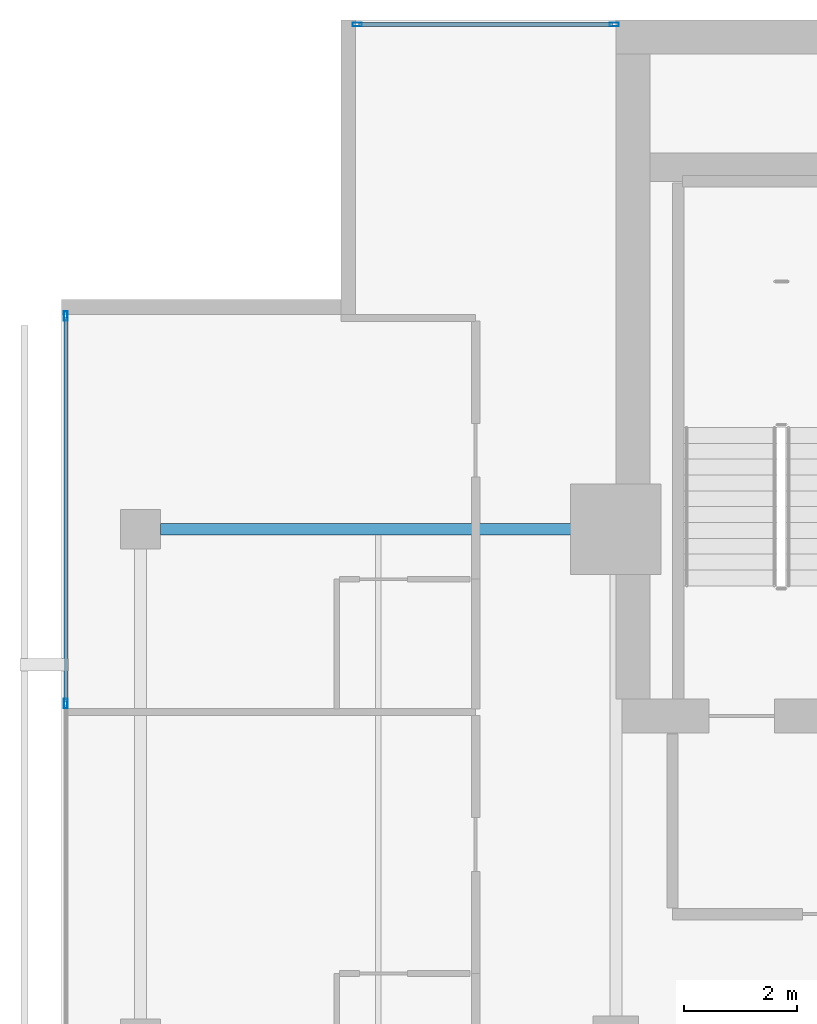
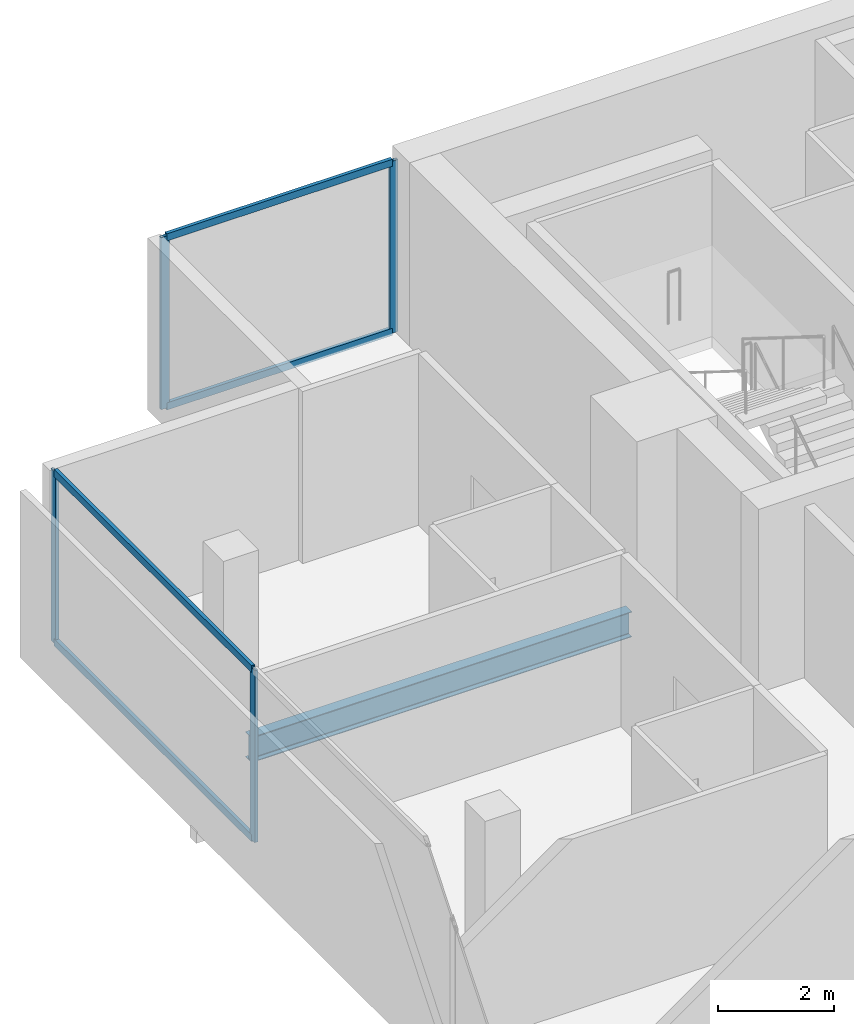
# One storey, part 16 of 25: 8 members, 1 beam, 2 elements without a shape of their own.
"""IFC4 building model written with IfcOpenShell, lengths in metres."""

from ifc_helpers import new_model, si_unit, direction, frame, origin, origin_2d, place, context, subcontext, project, spatial, hollow_rectangle, i_section, extrude, material, layer, layer_set, material_profile, profile_set, type_object, element, aggregate, save


model = new_model("IFC4")

# Units and contexts
model_context = context("Model", 3, precision=1e-05, world=origin(), true_north=direction((0.0, 1.0)))
body_context = subcontext(model_context, "Body", "Model", "MODEL_VIEW")
ifc_project = project(units=[si_unit("LENGTHUNIT", "METRE"), si_unit("AREAUNIT", "SQUARE_METRE"), si_unit("VOLUMEUNIT", "CUBIC_METRE"), si_unit("PLANEANGLEUNIT", "RADIAN"), si_unit("MASSUNIT", "GRAM", prefix="KILO")], contexts=[model_context])

# Site, building, storey
site_placement = place(None, origin())
site = spatial("IfcSite", under=ifc_project, at=site_placement, CompositionType="ELEMENT")
building_placement = place(site_placement, origin())
building = spatial("IfcBuilding", under=site, at=building_placement, Name="Maruvema Waterfront Hotel and Observation Tower", CompositionType="ELEMENT")
storey_placement = place(building_placement, frame((0.0, 0.0, 270.199951171875)))
storey = spatial("IfcBuildingStorey", under=building, at=storey_placement, Name="L66", CompositionType="ELEMENT", Elevation=270.199951171875)

# Curtain wall, members
ifc_material_1 = material(Name="Anodised bronze aluminium and solar-control low-E IGU", Category="aluminium")
ifc_layer = layer(ifc_material_1, 0.159912109375, Name="Zone 3 Champagne Inner Thermal Curtain Wall System CW-04")
ifc_layer_set = layer_set([ifc_layer], Name="Anodised bronze aluminium and solar-control low-E IGU")
curtain_wall_type = type_object("IfcCurtainWallType", Name="Zone 3 Champagne Inner Thermal Curtain Wall System CW-04", PredefinedType="USERDEFINED", material=ifc_layer_set)
curtain_wall_1_placement = place(storey_placement, origin())
curtain_wall_1 = element("IfcCurtainWall", 1, at=curtain_wall_1_placement, inside=storey, type_object=curtain_wall_type, Name="L66 Curtain Wall CW-L66-W", ObjectType="UNITISED CURTAIN WALL", PredefinedType="USERDEFINED")
ifc_material_2 = material(Name="Anodised architectural bronze aluminium", Category="aluminium")
ifc_material_profile_1 = material_profile(ifc_material_2, hollow_rectangle(XDim=0.070068359375, YDim=0.14990234375, WallThickness=0.00390625, at=origin_2d()), Name="ALU-T70x150")
ifc_profile_set_1 = profile_set([ifc_material_profile_1], Name="Anodised architectural bronze aluminium")
member_type_1 = type_object("IfcMemberType", Name="Curtain Wall Horizontal Transom ALU-T70x150", PredefinedType="USERDEFINED", material=ifc_profile_set_1)
member_1_placement = place(storey_placement, frame((15.47998046875, 48.739990234375, 0.030029296875), z_axis=(0.0, -1.0, 0.0), x_axis=(1.0, 0.0, 0.0)))
member_1 = element("IfcMember", 2, at=member_1_placement, type_object=member_type_1, Name="CW-04 transom 1.1", ObjectType="TRANSOM", PredefinedType="USERDEFINED", context=body_context, shape_type="SweptSolid", body=[
    extrude(hollow_rectangle(XDim=0.070068359375, YDim=0.14990234375, WallThickness=0.00390625, at=origin_2d()), origin(), (0.0, 0.0, 1.0), 6.7900390625),
])
member_2_placement = place(storey_placement, frame((15.47998046875, 48.739990234375, 3.580078125), z_axis=(0.0, -1.0, 0.0), x_axis=(1.0, 0.0, 0.0)))
member_2 = element("IfcMember", 3, at=member_2_placement, type_object=member_type_1, Name="CW-04 transom 1.2", ObjectType="TRANSOM", PredefinedType="USERDEFINED", context=body_context, shape_type="SweptSolid", body=[
    extrude(hollow_rectangle(XDim=0.070068359375, YDim=0.14990234375, WallThickness=0.00390625, at=origin_2d()), origin(), (0.0, 0.0, 1.0), 6.7900390625),
])

curtain_wall_2_placement = place(storey_placement, origin())
curtain_wall_2 = element("IfcCurtainWall", 4, at=curtain_wall_2_placement, inside=storey, type_object=curtain_wall_type, Name="L66 Curtain Wall CW-L66-NW", ObjectType="UNITISED CURTAIN WALL", PredefinedType="USERDEFINED")
member_3_placement = place(storey_placement, frame((25.139892578125, 53.919921875, 0.030029296875), z_axis=(-1.0, 0.0, 0.0), x_axis=(0.0, -1.0, 0.0)))
member_3 = element("IfcMember", 5, at=member_3_placement, type_object=member_type_1, Name="CW-04 transom 1.1", ObjectType="TRANSOM", PredefinedType="USERDEFINED", context=body_context, shape_type="SweptSolid", body=[
    extrude(hollow_rectangle(XDim=0.070068359375, YDim=0.14990234375, WallThickness=0.00390625, at=origin_2d()), origin(), (0.0, 0.0, 1.0), 4.47998046875),
])
member_4_placement = place(storey_placement, frame((25.139892578125, 53.919921875, 3.580078125), z_axis=(-1.0, 0.0, 0.0), x_axis=(0.0, -1.0, 0.0)))
member_4 = element("IfcMember", 6, at=member_4_placement, type_object=member_type_1, Name="CW-04 transom 1.2", ObjectType="TRANSOM", PredefinedType="USERDEFINED", context=body_context, shape_type="SweptSolid", body=[
    extrude(hollow_rectangle(XDim=0.070068359375, YDim=0.14990234375, WallThickness=0.00390625, at=origin_2d()), origin(), (0.0, 0.0, 1.0), 4.47998046875),
])

# Member
ifc_material_3 = material(Name="Anodised architectural bronze aluminium", Category="aluminium")
ifc_material_profile_2 = material_profile(ifc_material_3, hollow_rectangle(XDim=0.06494140625, YDim=0.1650390625, WallThickness=0.00390625, at=origin_2d()), Name="ALU-M65x165")
ifc_profile_set_2 = profile_set([ifc_material_profile_2], Name="Anodised architectural bronze aluminium")
member_type_2 = type_object("IfcMemberType", Name="Curtain Wall Primary Mullion ALU-M65x165", PredefinedType="MULLION", material=ifc_profile_set_2)
member_5_placement = place(storey_placement, frame((15.47998046875, 48.77001953125, 0.0), z_axis=(0.0, 0.0, 1.0), x_axis=(1.0, 0.0, 0.0)))
member_5 = element("IfcMember", 7, at=member_5_placement, type_object=member_type_2, Name="CW-04 mullion 1", PredefinedType="MULLION", context=body_context, shape_type="SweptSolid", body=[
    extrude(hollow_rectangle(XDim=0.06494140625, YDim=0.1650390625, WallThickness=0.00390625, at=origin_2d()), origin(), (0.0, 0.0, 1.0), 3.610107421875),
])

member_6_placement = place(storey_placement, frame((15.47998046875, 41.919921875, 0.0), z_axis=(0.0, 0.0, 1.0), x_axis=(1.0, 0.0, 0.0)))
member_6 = element("IfcMember", 8, at=member_6_placement, type_object=member_type_2, Name="CW-04 mullion 2", PredefinedType="MULLION", context=body_context, shape_type="SweptSolid", body=[
    extrude(hollow_rectangle(XDim=0.06494140625, YDim=0.1650390625, WallThickness=0.00390625, at=origin_2d()), origin(), (0.0, 0.0, 1.0), 3.610107421875),
])

aggregate(curtain_wall_1, [member_5, member_6, member_1, member_2])

member_7_placement = place(storey_placement, frame((25.169921875, 53.919921875, 0.0), z_axis=(0.0, 0.0, 1.0), x_axis=(0.0, -1.0, 0.0)))
member_7 = element("IfcMember", 9, at=member_7_placement, type_object=member_type_2, Name="CW-04 mullion 1", PredefinedType="MULLION", context=body_context, shape_type="SweptSolid", body=[
    extrude(hollow_rectangle(XDim=0.06494140625, YDim=0.1650390625, WallThickness=0.00390625, at=origin_2d()), origin(), (0.0, 0.0, 1.0), 3.610107421875),
])

member_8_placement = place(storey_placement, frame((20.6298828125, 53.919921875, 0.0), z_axis=(0.0, 0.0, 1.0), x_axis=(0.0, -1.0, 0.0)))
member_8 = element("IfcMember", 10, at=member_8_placement, type_object=member_type_2, Name="CW-04 mullion 2", PredefinedType="MULLION", context=body_context, shape_type="SweptSolid", body=[
    extrude(hollow_rectangle(XDim=0.06494140625, YDim=0.1650390625, WallThickness=0.00390625, at=origin_2d()), origin(), (0.0, 0.0, 1.0), 3.610107421875),
])

aggregate(curtain_wall_2, [member_7, member_8, member_3, member_4])

# Beam
ifc_material_4 = material(Name="Steel ASTM A572 Grade 50", Category="steel")
ifc_material_profile_3 = material_profile(ifc_material_4, i_section(OverallWidth=0.208984375, OverallDepth=0.532958984375, WebThickness=0.01025390625, FlangeThickness=0.015625, FilletRadius=0.014892578125, at=origin_2d()), Name="W530x92.0")
ifc_profile_set_3 = profile_set([ifc_material_profile_3], Name="Steel ASTM A572 Grade 50")
beam_type = type_object("IfcBeamType", Name="Primary Floor Girder W530x92.0", PredefinedType="BEAM", material=ifc_profile_set_3)
beam_placement = place(storey_placement, frame((17.14990234375, 45.0, -0.50634765625), z_axis=(1.0, 0.0, 0.0), x_axis=(0.0, 1.0, 0.0)))
element("IfcBeam", 11, at=beam_placement, inside=storey, type_object=beam_type, Name="L66 Floor Girder EW-17", PredefinedType="BEAM", context=body_context, shape_type="SweptSolid", body=[
    extrude(i_section(OverallWidth=0.208984375, OverallDepth=0.532958984375, WebThickness=0.01025390625, FlangeThickness=0.015625, FilletRadius=0.014892578125, at=origin_2d()), origin(), (0.0, 0.0, 1.0), 7.550048828125),
])

save(model, "model.ifc")
